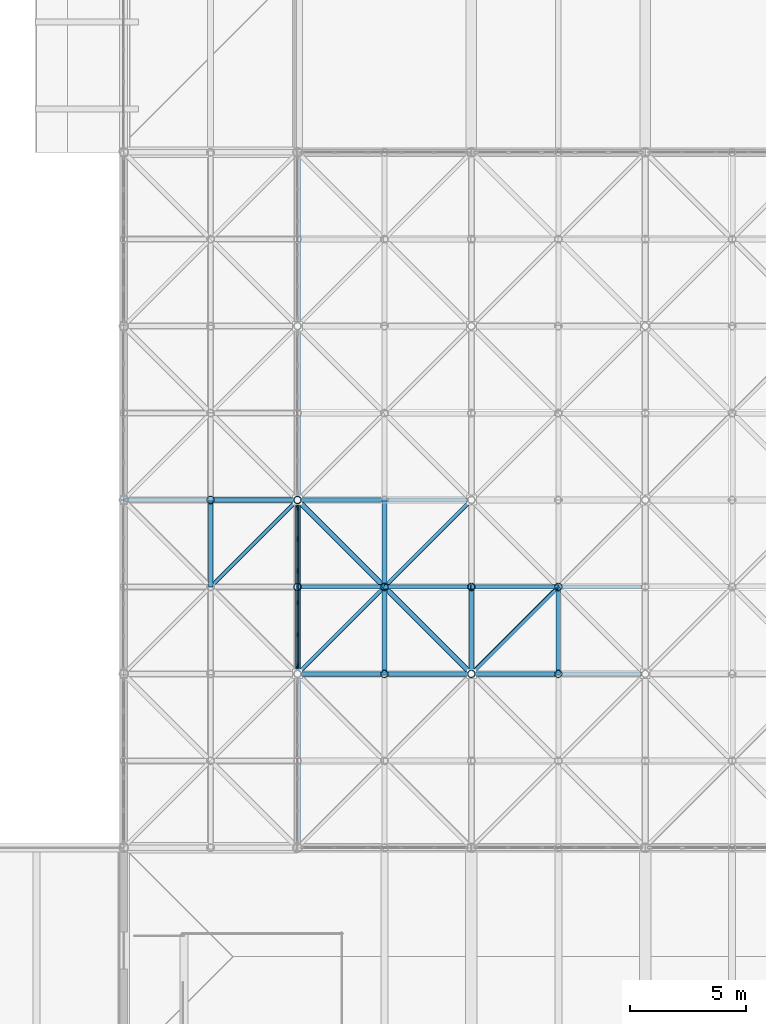
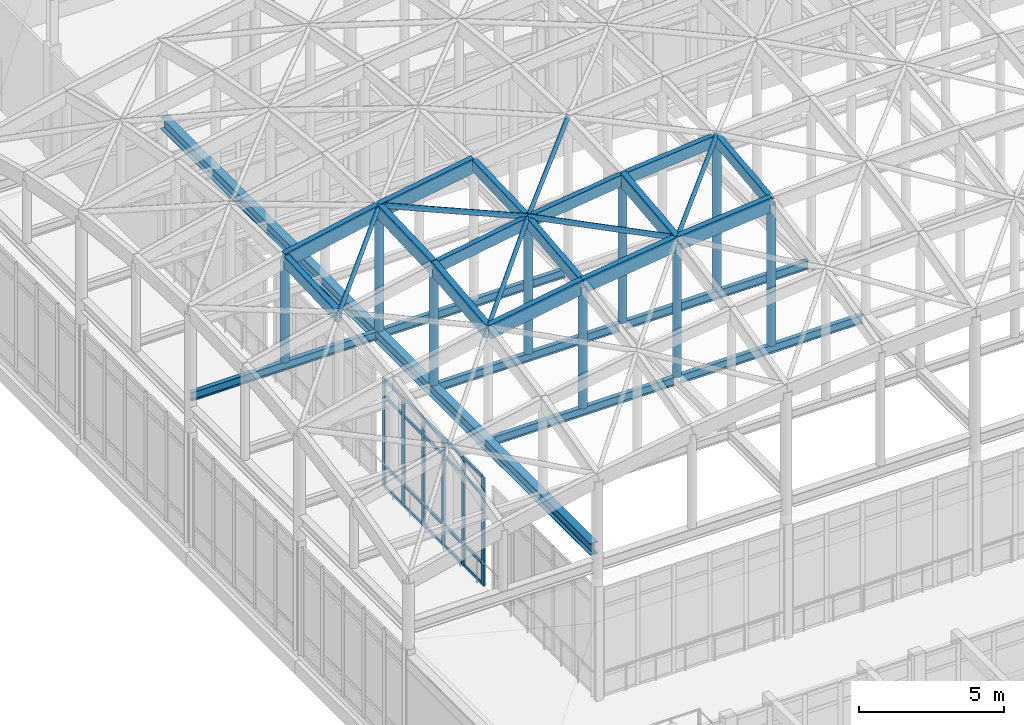
# One storey, part 33 of 131: 56 members, 7 beams, 1 element without a shape of its own.
"""IFC4 building model written with IfcOpenShell, lengths in metres."""

from ifc_helpers import new_model, si_unit, direction, frame, origin, origin_2d, place, context, subcontext, project, spatial, rectangle, hollow_circle, i_section, extrude, material, layer, layer_set, material_profile, profile_set, type_object, element, aggregate, save


model = new_model("IFC4")

# Units and contexts
model_context = context("Model", 3, precision=1e-05, world=origin(), true_north=direction((0.0, 1.0)))
body_context = subcontext(model_context, "Body", "Model", "MODEL_VIEW")
ifc_project = project(units=[si_unit("LENGTHUNIT", "METRE"), si_unit("AREAUNIT", "SQUARE_METRE"), si_unit("VOLUMEUNIT", "CUBIC_METRE"), si_unit("PLANEANGLEUNIT", "RADIAN"), si_unit("MASSUNIT", "GRAM", prefix="KILO")], contexts=[model_context])

# Site, building, storey
site_placement = place(None, origin())
site = spatial("IfcSite", under=ifc_project, at=site_placement, CompositionType="ELEMENT")
building_placement = place(site_placement, origin())
building = spatial("IfcBuilding", under=site, at=building_placement, Name="Dalvernix Boulevard General Hospital", CompositionType="ELEMENT")
storey_placement = place(building_placement, frame((0.0, 0.0, 9.300048828125)))
storey = spatial("IfcBuildingStorey", under=building, at=storey_placement, Name="L02", CompositionType="ELEMENT", Elevation=9.300048828125)

# Beams
ifc_material_1 = material(Name="Steel S355", Category="steel")
ifc_material_profile_1 = material_profile(ifc_material_1, i_section(OverallWidth=0.300048828125, OverallDepth=0.5, WebThickness=0.014404296875, FlangeThickness=0.028076171875, FilletRadius=0.027099609375, at=origin_2d()), Name="HEB 500")
ifc_profile_set_1 = profile_set([ifc_material_profile_1], Name="Steel S355")
beam_type_1 = type_object("IfcBeamType", Name="BM-RB-02", PredefinedType="BEAM", material=ifc_profile_set_1)
beam_1_placement = place(storey_placement, frame((67.5, 31.7099609375, 6.14990234375), z_axis=(0.0, 1.0, 0.0), x_axis=(-1.0, 0.0, 0.0)))
element("IfcBeam", 1, at=beam_1_placement, inside=storey, type_object=beam_type_1, Name="ROOF TRUSS Gridshell tie beam 2", PredefinedType="BEAM", context=body_context, shape_type="SweptSolid", body=[
    extrude(i_section(OverallWidth=0.300048828125, OverallDepth=0.5, WebThickness=0.014404296875, FlangeThickness=0.028076171875, FilletRadius=0.027099609375, at=origin_2d()), origin(), (0.0, 0.0, 1.0), 29.580078125),
])
ifc_material_profile_2 = material_profile(ifc_material_1, i_section(OverallWidth=0.169921875, OverallDepth=0.360107421875, WebThickness=0.008056640625, FlangeThickness=0.0126953125, FilletRadius=0.01806640625, at=origin_2d()), Name="IPE 360")
ifc_profile_set_2 = profile_set([ifc_material_profile_2], Name="Steel S355")
beam_type_2 = type_object("IfcBeamType", Name="BM-RB-08", PredefinedType="BEAM", material=ifc_profile_set_2)
for number, where, z_axis, x_axis, name in (
    (2, (67.64208984375, 39.0, 6.219970703125), (1.0, 0.0, 0.0), (0.0, 1.0, 0.0), "ROOF TRUSS Gridshell cross tie 2-2"),
    (3, (75.14208984375, 39.0, 6.219970703125), (1.0, 0.0, 0.0), (0.0, 1.0, 0.0), "ROOF TRUSS Gridshell cross tie 4-2"),
    (4, (67.64208984375, 42.75, 6.219970703125), (1.0, 0.0, 0.0), (0.0, 1.0, 0.0), "ROOF TRUSS Gridshell cross tie 2-3"),
    (5, (75.14208984375, 42.75, 6.219970703125), (1.0, 0.0, 0.0), (0.0, 1.0, 0.0), "ROOF TRUSS Gridshell cross tie 4-3"),
):
    element("IfcBeam", number, at=place(storey_placement, frame(where, z_axis=z_axis, x_axis=x_axis)), inside=storey, type_object=beam_type_2, Name=name, PredefinedType="BEAM", context=body_context, shape_type="SweptSolid", body=[
        extrude(i_section(OverallWidth=0.169921875, OverallDepth=0.360107421875, WebThickness=0.008056640625, FlangeThickness=0.0126953125, FilletRadius=0.01806640625, at=origin_2d()), origin(), (0.0, 0.0, 1.0), 7.2158203125),
    ])
beam_2_placement = place(storey_placement, frame((60.0, 46.5, 6.219970703125), z_axis=(1.0, 0.0, 0.0), x_axis=(0.0, 1.0, 0.0)))
element("IfcBeam", 6, at=beam_2_placement, inside=storey, type_object=beam_type_2, Name="ROOF TRUSS Gridshell cross tie 0-4", PredefinedType="BEAM", context=body_context, shape_type="SweptSolid", body=[
    extrude(i_section(OverallWidth=0.169921875, OverallDepth=0.360107421875, WebThickness=0.008056640625, FlangeThickness=0.0126953125, FilletRadius=0.01806640625, at=origin_2d()), origin(), (0.0, 0.0, 1.0), 7.35791015625),
])
beam_3_placement = place(storey_placement, frame((67.64208984375, 46.5, 6.219970703125), z_axis=(1.0, 0.0, 0.0), x_axis=(0.0, 1.0, 0.0)))
element("IfcBeam", 7, at=beam_3_placement, inside=storey, type_object=beam_type_2, Name="ROOF TRUSS Gridshell cross tie 2-4", PredefinedType="BEAM", context=body_context, shape_type="SweptSolid", body=[
    extrude(i_section(OverallWidth=0.169921875, OverallDepth=0.360107421875, WebThickness=0.008056640625, FlangeThickness=0.0126953125, FilletRadius=0.01806640625, at=origin_2d()), origin(), (0.0, 0.0, 1.0), 7.2158203125),
])

# Curtain wall, members
ifc_material_2 = material(Name="Thermally broken aluminium and solar-control glass curtain wall", Category="aluminium")
ifc_layer = layer(ifc_material_2, 0.179931640625)
ifc_layer_set = layer_set([ifc_layer], Name="Thermally broken aluminium and solar-control glass curtain wall (CW-CW-B-69x46)")
curtain_wall_type = type_object("IfcCurtainWallType", Name="CW-CW-B-69x46", PredefinedType="USERDEFINED", material=ifc_layer_set)
curtain_wall_placement = place(storey_placement, origin())
curtain_wall = element("IfcCurtainWall", 8, at=curtain_wall_placement, inside=storey, type_object=curtain_wall_type, Name="L02 curtain wall CW-B-69x46 9-5", ObjectType="GLAZED FACADE", PredefinedType="USERDEFINED")
ifc_material_3 = material(Name="Aluminium EN AW-6060", Category="aluminium")
ifc_material_profile_3 = material_profile(ifc_material_3, rectangle(XDim=0.06494140625, YDim=0.179931640625, at=origin_2d()), Name="ALU MULL 65x180")
ifc_profile_set_3 = profile_set([ifc_material_profile_3], Name="Aluminium EN AW-6060")
member_type_1 = type_object("IfcMemberType", Name="MEM-CW-M2", PredefinedType="MULLION", material=ifc_profile_set_3)
member_1_placement = place(storey_placement, frame((67.5, 46.157470703125, 0.0), z_axis=(0.0, 0.0, 1.0), x_axis=(1.0, 0.0, 0.0)))
member_1 = element("IfcMember", 9, at=member_1_placement, type_object=member_type_1, Name="CW-B-69x46 mullion 1", PredefinedType="MULLION", context=body_context, shape_type="SweptSolid", body=[
    extrude(rectangle(XDim=0.06494140625, YDim=0.179931640625, at=origin_2d()), origin(), (0.0, 0.0, 1.0), 4.550048828125),
])
member_2_placement = place(storey_placement, frame((67.5, 44.81396484375, 0.0), z_axis=(0.0, 0.0, 1.0), x_axis=(1.0, 0.0, 0.0)))
member_2 = element("IfcMember", 10, at=member_2_placement, type_object=member_type_1, Name="CW-B-69x46 mullion 2", PredefinedType="MULLION", context=body_context, shape_type="SweptSolid", body=[
    extrude(rectangle(XDim=0.06494140625, YDim=0.179931640625, at=origin_2d()), origin(), (0.0, 0.0, 1.0), 4.550048828125),
])
member_3_placement = place(storey_placement, frame((67.5, 43.43798828125, 0.0), z_axis=(0.0, 0.0, 1.0), x_axis=(1.0, 0.0, 0.0)))
member_3 = element("IfcMember", 11, at=member_3_placement, type_object=member_type_1, Name="CW-B-69x46 mullion 3", PredefinedType="MULLION", context=body_context, shape_type="SweptSolid", body=[
    extrude(rectangle(XDim=0.06494140625, YDim=0.179931640625, at=origin_2d()), origin(), (0.0, 0.0, 1.0), 4.550048828125),
])
member_4_placement = place(storey_placement, frame((67.5, 42.06201171875, 0.0), z_axis=(0.0, 0.0, 1.0), x_axis=(1.0, 0.0, 0.0)))
member_4 = element("IfcMember", 12, at=member_4_placement, type_object=member_type_1, Name="CW-B-69x46 mullion 4", PredefinedType="MULLION", context=body_context, shape_type="SweptSolid", body=[
    extrude(rectangle(XDim=0.06494140625, YDim=0.179931640625, at=origin_2d()), origin(), (0.0, 0.0, 1.0), 4.550048828125),
])
member_5_placement = place(storey_placement, frame((67.5, 40.68603515625, 0.0), z_axis=(0.0, 0.0, 1.0), x_axis=(1.0, 0.0, 0.0)))
member_5 = element("IfcMember", 13, at=member_5_placement, type_object=member_type_1, Name="CW-B-69x46 mullion 5", PredefinedType="MULLION", context=body_context, shape_type="SweptSolid", body=[
    extrude(rectangle(XDim=0.06494140625, YDim=0.179931640625, at=origin_2d()), origin(), (0.0, 0.0, 1.0), 4.550048828125),
])
member_6_placement = place(storey_placement, frame((67.5, 39.342529296875, 0.0), z_axis=(0.0, 0.0, 1.0), x_axis=(1.0, 0.0, 0.0)))
member_6 = element("IfcMember", 14, at=member_6_placement, type_object=member_type_1, Name="CW-B-69x46 mullion 6", PredefinedType="MULLION", context=body_context, shape_type="SweptSolid", body=[
    extrude(rectangle(XDim=0.06494140625, YDim=0.179931640625, at=origin_2d()), origin(), (0.0, 0.0, 1.0), 4.550048828125),
])
ifc_material_profile_4 = material_profile(ifc_material_3, rectangle(XDim=0.06494140625, YDim=0.139892578125, at=origin_2d()), Name="ALU TRAN 65x140")
ifc_profile_set_4 = profile_set([ifc_material_profile_4], Name="Aluminium EN AW-6060")
member_type_2 = type_object("IfcMemberType", Name="MEM-CW-T2", PredefinedType="USERDEFINED", material=ifc_profile_set_4)
member_7_placement = place(storey_placement, frame((67.5, 46.125, 0.032470703125), z_axis=(0.0, -1.0, 0.0), x_axis=(1.0, 0.0, 0.0)))
member_7 = element("IfcMember", 15, at=member_7_placement, type_object=member_type_2, Name="CW-B-69x46 transom 1.1", ObjectType="TRANSOM", PredefinedType="USERDEFINED", context=body_context, shape_type="SweptSolid", body=[
    extrude(rectangle(XDim=0.06494140625, YDim=0.139892578125, at=origin_2d()), origin(), (0.0, 0.0, 1.0), 1.278564453125),
])
member_8_placement = place(storey_placement, frame((67.5, 46.125, 0.89990234375), z_axis=(0.0, -1.0, 0.0), x_axis=(1.0, 0.0, 0.0)))
member_8 = element("IfcMember", 16, at=member_8_placement, type_object=member_type_2, Name="CW-B-69x46 transom 1.2", ObjectType="TRANSOM", PredefinedType="USERDEFINED", context=body_context, shape_type="SweptSolid", body=[
    extrude(rectangle(XDim=0.06494140625, YDim=0.139892578125, at=origin_2d()), origin(), (0.0, 0.0, 1.0), 1.278564453125),
])
member_9_placement = place(storey_placement, frame((67.5, 46.125, 3.800048828125), z_axis=(0.0, -1.0, 0.0), x_axis=(1.0, 0.0, 0.0)))
member_9 = element("IfcMember", 17, at=member_9_placement, type_object=member_type_2, Name="CW-B-69x46 transom 1.3", ObjectType="TRANSOM", PredefinedType="USERDEFINED", context=body_context, shape_type="SweptSolid", body=[
    extrude(rectangle(XDim=0.06494140625, YDim=0.139892578125, at=origin_2d()), origin(), (0.0, 0.0, 1.0), 1.278564453125),
])
member_10_placement = place(storey_placement, frame((67.5, 46.125, 4.517333984375), z_axis=(0.0, -1.0, 0.0), x_axis=(1.0, 0.0, 0.0)))
member_10 = element("IfcMember", 18, at=member_10_placement, type_object=member_type_2, Name="CW-B-69x46 transom 1.4", ObjectType="TRANSOM", PredefinedType="USERDEFINED", context=body_context, shape_type="SweptSolid", body=[
    extrude(rectangle(XDim=0.06494140625, YDim=0.139892578125, at=origin_2d()), origin(), (0.0, 0.0, 1.0), 1.278564453125),
])
member_11_placement = place(storey_placement, frame((67.5, 44.781494140625, 0.032470703125), z_axis=(0.0, -1.0, 0.0), x_axis=(1.0, 0.0, 0.0)))
member_11 = element("IfcMember", 19, at=member_11_placement, type_object=member_type_2, Name="CW-B-69x46 transom 2.1", ObjectType="TRANSOM", PredefinedType="USERDEFINED", context=body_context, shape_type="SweptSolid", body=[
    extrude(rectangle(XDim=0.06494140625, YDim=0.139892578125, at=origin_2d()), origin(), (0.0, 0.0, 1.0), 1.31103515625),
])
member_12_placement = place(storey_placement, frame((67.5, 44.781494140625, 0.89990234375), z_axis=(0.0, -1.0, 0.0), x_axis=(1.0, 0.0, 0.0)))
member_12 = element("IfcMember", 20, at=member_12_placement, type_object=member_type_2, Name="CW-B-69x46 transom 2.2", ObjectType="TRANSOM", PredefinedType="USERDEFINED", context=body_context, shape_type="SweptSolid", body=[
    extrude(rectangle(XDim=0.06494140625, YDim=0.139892578125, at=origin_2d()), origin(), (0.0, 0.0, 1.0), 1.31103515625),
])
member_13_placement = place(storey_placement, frame((67.5, 44.781494140625, 3.800048828125), z_axis=(0.0, -1.0, 0.0), x_axis=(1.0, 0.0, 0.0)))
member_13 = element("IfcMember", 21, at=member_13_placement, type_object=member_type_2, Name="CW-B-69x46 transom 2.3", ObjectType="TRANSOM", PredefinedType="USERDEFINED", context=body_context, shape_type="SweptSolid", body=[
    extrude(rectangle(XDim=0.06494140625, YDim=0.139892578125, at=origin_2d()), origin(), (0.0, 0.0, 1.0), 1.31103515625),
])
member_14_placement = place(storey_placement, frame((67.5, 44.781494140625, 4.517333984375), z_axis=(0.0, -1.0, 0.0), x_axis=(1.0, 0.0, 0.0)))
member_14 = element("IfcMember", 22, at=member_14_placement, type_object=member_type_2, Name="CW-B-69x46 transom 2.4", ObjectType="TRANSOM", PredefinedType="USERDEFINED", context=body_context, shape_type="SweptSolid", body=[
    extrude(rectangle(XDim=0.06494140625, YDim=0.139892578125, at=origin_2d()), origin(), (0.0, 0.0, 1.0), 1.31103515625),
])
member_15_placement = place(storey_placement, frame((67.5, 43.405517578125, 0.032470703125), z_axis=(0.0, -1.0, 0.0), x_axis=(1.0, 0.0, 0.0)))
member_15 = element("IfcMember", 23, at=member_15_placement, type_object=member_type_2, Name="CW-B-69x46 transom 3.1", ObjectType="TRANSOM", PredefinedType="USERDEFINED", context=body_context, shape_type="SweptSolid", body=[
    extrude(rectangle(XDim=0.06494140625, YDim=0.139892578125, at=origin_2d()), origin(), (0.0, 0.0, 1.0), 1.31103515625),
])
member_16_placement = place(storey_placement, frame((67.5, 43.405517578125, 0.89990234375), z_axis=(0.0, -1.0, 0.0), x_axis=(1.0, 0.0, 0.0)))
member_16 = element("IfcMember", 24, at=member_16_placement, type_object=member_type_2, Name="CW-B-69x46 transom 3.2", ObjectType="TRANSOM", PredefinedType="USERDEFINED", context=body_context, shape_type="SweptSolid", body=[
    extrude(rectangle(XDim=0.06494140625, YDim=0.139892578125, at=origin_2d()), origin(), (0.0, 0.0, 1.0), 1.31103515625),
])
member_17_placement = place(storey_placement, frame((67.5, 43.405517578125, 3.800048828125), z_axis=(0.0, -1.0, 0.0), x_axis=(1.0, 0.0, 0.0)))
member_17 = element("IfcMember", 25, at=member_17_placement, type_object=member_type_2, Name="CW-B-69x46 transom 3.3", ObjectType="TRANSOM", PredefinedType="USERDEFINED", context=body_context, shape_type="SweptSolid", body=[
    extrude(rectangle(XDim=0.06494140625, YDim=0.139892578125, at=origin_2d()), origin(), (0.0, 0.0, 1.0), 1.31103515625),
])
member_18_placement = place(storey_placement, frame((67.5, 43.405517578125, 4.517333984375), z_axis=(0.0, -1.0, 0.0), x_axis=(1.0, 0.0, 0.0)))
member_18 = element("IfcMember", 26, at=member_18_placement, type_object=member_type_2, Name="CW-B-69x46 transom 3.4", ObjectType="TRANSOM", PredefinedType="USERDEFINED", context=body_context, shape_type="SweptSolid", body=[
    extrude(rectangle(XDim=0.06494140625, YDim=0.139892578125, at=origin_2d()), origin(), (0.0, 0.0, 1.0), 1.31103515625),
])
member_19_placement = place(storey_placement, frame((67.5, 42.029541015625, 0.032470703125), z_axis=(0.0, -1.0, 0.0), x_axis=(1.0, 0.0, 0.0)))
member_19 = element("IfcMember", 27, at=member_19_placement, type_object=member_type_2, Name="CW-B-69x46 transom 4.1", ObjectType="TRANSOM", PredefinedType="USERDEFINED", context=body_context, shape_type="SweptSolid", body=[
    extrude(rectangle(XDim=0.06494140625, YDim=0.139892578125, at=origin_2d()), origin(), (0.0, 0.0, 1.0), 1.31103515625),
])
member_20_placement = place(storey_placement, frame((67.5, 42.029541015625, 0.89990234375), z_axis=(0.0, -1.0, 0.0), x_axis=(1.0, 0.0, 0.0)))
member_20 = element("IfcMember", 28, at=member_20_placement, type_object=member_type_2, Name="CW-B-69x46 transom 4.2", ObjectType="TRANSOM", PredefinedType="USERDEFINED", context=body_context, shape_type="SweptSolid", body=[
    extrude(rectangle(XDim=0.06494140625, YDim=0.139892578125, at=origin_2d()), origin(), (0.0, 0.0, 1.0), 1.31103515625),
])
member_21_placement = place(storey_placement, frame((67.5, 42.029541015625, 3.800048828125), z_axis=(0.0, -1.0, 0.0), x_axis=(1.0, 0.0, 0.0)))
member_21 = element("IfcMember", 29, at=member_21_placement, type_object=member_type_2, Name="CW-B-69x46 transom 4.3", ObjectType="TRANSOM", PredefinedType="USERDEFINED", context=body_context, shape_type="SweptSolid", body=[
    extrude(rectangle(XDim=0.06494140625, YDim=0.139892578125, at=origin_2d()), origin(), (0.0, 0.0, 1.0), 1.31103515625),
])
member_22_placement = place(storey_placement, frame((67.5, 42.029541015625, 4.517333984375), z_axis=(0.0, -1.0, 0.0), x_axis=(1.0, 0.0, 0.0)))
member_22 = element("IfcMember", 30, at=member_22_placement, type_object=member_type_2, Name="CW-B-69x46 transom 4.4", ObjectType="TRANSOM", PredefinedType="USERDEFINED", context=body_context, shape_type="SweptSolid", body=[
    extrude(rectangle(XDim=0.06494140625, YDim=0.139892578125, at=origin_2d()), origin(), (0.0, 0.0, 1.0), 1.31103515625),
])
member_23_placement = place(storey_placement, frame((67.5, 40.653564453125, 0.032470703125), z_axis=(0.0, -1.0, 0.0), x_axis=(1.0, 0.0, 0.0)))
member_23 = element("IfcMember", 31, at=member_23_placement, type_object=member_type_2, Name="CW-B-69x46 transom 5.1", ObjectType="TRANSOM", PredefinedType="USERDEFINED", context=body_context, shape_type="SweptSolid", body=[
    extrude(rectangle(XDim=0.06494140625, YDim=0.139892578125, at=origin_2d()), origin(), (0.0, 0.0, 1.0), 1.278564453125),
])
member_24_placement = place(storey_placement, frame((67.5, 40.653564453125, 0.89990234375), z_axis=(0.0, -1.0, 0.0), x_axis=(1.0, 0.0, 0.0)))
member_24 = element("IfcMember", 32, at=member_24_placement, type_object=member_type_2, Name="CW-B-69x46 transom 5.2", ObjectType="TRANSOM", PredefinedType="USERDEFINED", context=body_context, shape_type="SweptSolid", body=[
    extrude(rectangle(XDim=0.06494140625, YDim=0.139892578125, at=origin_2d()), origin(), (0.0, 0.0, 1.0), 1.278564453125),
])
member_25_placement = place(storey_placement, frame((67.5, 40.653564453125, 3.800048828125), z_axis=(0.0, -1.0, 0.0), x_axis=(1.0, 0.0, 0.0)))
member_25 = element("IfcMember", 33, at=member_25_placement, type_object=member_type_2, Name="CW-B-69x46 transom 5.3", ObjectType="TRANSOM", PredefinedType="USERDEFINED", context=body_context, shape_type="SweptSolid", body=[
    extrude(rectangle(XDim=0.06494140625, YDim=0.139892578125, at=origin_2d()), origin(), (0.0, 0.0, 1.0), 1.278564453125),
])
member_26_placement = place(storey_placement, frame((67.5, 40.653564453125, 4.517333984375), z_axis=(0.0, -1.0, 0.0), x_axis=(1.0, 0.0, 0.0)))
member_26 = element("IfcMember", 34, at=member_26_placement, type_object=member_type_2, Name="CW-B-69x46 transom 5.4", ObjectType="TRANSOM", PredefinedType="USERDEFINED", context=body_context, shape_type="SweptSolid", body=[
    extrude(rectangle(XDim=0.06494140625, YDim=0.139892578125, at=origin_2d()), origin(), (0.0, 0.0, 1.0), 1.278564453125),
])
aggregate(curtain_wall, [member_1, member_2, member_3, member_4, member_5, member_6, member_7, member_8, member_9, member_10, member_11, member_12, member_13, member_14, member_15, member_16, member_17, member_18, member_19, member_20, member_21, member_22, member_23, member_24, member_25, member_26])

# Members
ifc_material_4 = material(Name="Glulam GL28h", Category="wood")
ifc_material_profile_5 = material_profile(ifc_material_4, rectangle(XDim=0.219970703125, YDim=0.60009765625, at=origin_2d()), Name="GL28h 220x600")
ifc_profile_set_5 = profile_set([ifc_material_profile_5], Name="Glulam GL28h")
member_type_3 = type_object("IfcMemberType", Name="MEM-GS-C1", PredefinedType="CHORD", material=ifc_profile_set_5)
member_27_placement = place(storey_placement, frame((67.5, 39.0, 10.865234375), z_axis=(0.98641474393, 0.0, 0.164274017902), x_axis=(0.0, 1.0, 0.0)))
element("IfcMember", 35, at=member_27_placement, inside=storey, type_object=member_type_3, Name="ROOF TRUSS Gridshell E-W glulam rib 3-3", PredefinedType="CHORD", context=body_context, shape_type="SweptSolid", body=[
    extrude(rectangle(XDim=0.219970703125, YDim=0.60009765625, at=origin_2d()), origin(), (0.0, 0.0, 1.0), 3.8017578125),
])
member_28_placement = place(storey_placement, frame((71.25, 39.0, 11.48974609375), z_axis=(0.99171987465, 0.0, 0.128419975956), x_axis=(0.0, 1.0, 0.0)))
element("IfcMember", 36, at=member_28_placement, inside=storey, type_object=member_type_3, Name="ROOF TRUSS Gridshell E-W glulam rib 4-3", PredefinedType="CHORD", context=body_context, shape_type="SweptSolid", body=[
    extrude(rectangle(XDim=0.219970703125, YDim=0.60009765625, at=origin_2d()), origin(), (0.0, 0.0, 1.0), 3.78125),
])
member_29_placement = place(storey_placement, frame((75.0, 39.0, 11.975341796875), z_axis=(0.995747945021, 0.0, 0.092119650382), x_axis=(0.0, 1.0, 0.0)))
element("IfcMember", 37, at=member_29_placement, inside=storey, type_object=member_type_3, Name="ROOF TRUSS Gridshell E-W glulam rib 5-3", PredefinedType="CHORD", context=body_context, shape_type="SweptSolid", body=[
    extrude(rectangle(XDim=0.219970703125, YDim=0.60009765625, at=origin_2d()), origin(), (0.0, 0.0, 1.0), 3.76611328125),
])
member_30_placement = place(storey_placement, frame((63.75, 46.5, 10.65185546875), z_axis=(0.979900110741, 0.0, 0.199488779055), x_axis=(0.0, 1.0, 0.0)))
element("IfcMember", 38, at=member_30_placement, inside=storey, type_object=member_type_3, Name="ROOF TRUSS Gridshell E-W glulam rib 2-5", PredefinedType="CHORD", context=body_context, shape_type="SweptSolid", body=[
    extrude(rectangle(XDim=0.219970703125, YDim=0.60009765625, at=origin_2d()), origin(), (0.0, 0.0, 1.0), 3.826904296875),
])
member_31_placement = place(storey_placement, frame((67.5, 46.5, 11.415283203125), z_axis=(0.98641474393, 0.0, 0.164274017902), x_axis=(0.0, 1.0, 0.0)))
element("IfcMember", 39, at=member_31_placement, inside=storey, type_object=member_type_3, Name="ROOF TRUSS Gridshell E-W glulam rib 3-5", PredefinedType="CHORD", context=body_context, shape_type="SweptSolid", body=[
    extrude(rectangle(XDim=0.219970703125, YDim=0.60009765625, at=origin_2d()), origin(), (0.0, 0.0, 1.0), 3.8017578125),
])
member_32_placement = place(storey_placement, frame((67.5, 39.0, 10.865234375), z_axis=(0.0, 0.994001542248, 0.109366055104), x_axis=(-1.0, 0.0, 0.0)))
element("IfcMember", 40, at=member_32_placement, inside=storey, type_object=member_type_3, Name="ROOF TRUSS Gridshell N-S glulam rib 3-3", PredefinedType="CHORD", context=body_context, shape_type="SweptSolid", body=[
    extrude(rectangle(XDim=0.219970703125, YDim=0.60009765625, at=origin_2d()), origin(), (0.0, 0.0, 1.0), 3.772705078125),
])
member_33_placement = place(storey_placement, frame((67.5, 42.75, 11.27783203125), z_axis=(0.0, 0.999328931228, 0.036629048716), x_axis=(-1.0, 0.0, 0.0)))
element("IfcMember", 41, at=member_33_placement, inside=storey, type_object=member_type_3, Name="ROOF TRUSS Gridshell N-S glulam rib 3-4", PredefinedType="CHORD", context=body_context, shape_type="SweptSolid", body=[
    extrude(rectangle(XDim=0.219970703125, YDim=0.60009765625, at=origin_2d()), origin(), (0.0, 0.0, 1.0), 3.75244140625),
])
member_34_placement = place(storey_placement, frame((75.0, 39.0, 11.975341796875), z_axis=(0.0, 0.994001542248, 0.109366055104), x_axis=(-1.0, 0.0, 0.0)))
element("IfcMember", 42, at=member_34_placement, inside=storey, type_object=member_type_3, Name="ROOF TRUSS Gridshell N-S glulam rib 5-3", PredefinedType="CHORD", context=body_context, shape_type="SweptSolid", body=[
    extrude(rectangle(XDim=0.219970703125, YDim=0.60009765625, at=origin_2d()), origin(), (0.0, 0.0, 1.0), 3.772705078125),
])
ifc_material_profile_6 = material_profile(ifc_material_4, rectangle(XDim=0.199951171875, YDim=0.47998046875, at=origin_2d()), Name="GL28h 200x480")
ifc_profile_set_6 = profile_set([ifc_material_profile_6], Name="Glulam GL28h")
member_type_4 = type_object("IfcMemberType", Name="MEM-GS-C2", PredefinedType="CHORD", material=ifc_profile_set_6)
member_35_placement = place(storey_placement, frame((67.5, 42.75, 11.27783203125), z_axis=(0.98641474393, 0.0, 0.164274017902), x_axis=(0.0, 1.0, 0.0)))
element("IfcMember", 43, at=member_35_placement, inside=storey, type_object=member_type_4, Name="ROOF TRUSS Gridshell E-W glulam rib 3-4", PredefinedType="CHORD", context=body_context, shape_type="SweptSolid", body=[
    extrude(rectangle(XDim=0.199951171875, YDim=0.47998046875, at=origin_2d()), origin(), (0.0, 0.0, 1.0), 3.8017578125),
])
member_36_placement = place(storey_placement, frame((71.25, 42.75, 11.90234375), z_axis=(0.99171987465, 0.0, 0.128419975956), x_axis=(0.0, 1.0, 0.0)))
element("IfcMember", 44, at=member_36_placement, inside=storey, type_object=member_type_4, Name="ROOF TRUSS Gridshell E-W glulam rib 4-4", PredefinedType="CHORD", context=body_context, shape_type="SweptSolid", body=[
    extrude(rectangle(XDim=0.199951171875, YDim=0.47998046875, at=origin_2d()), origin(), (0.0, 0.0, 1.0), 3.78125),
])
member_37_placement = place(storey_placement, frame((75.0, 42.75, 12.387939453125), z_axis=(0.995747945021, 0.0, 0.092119650382), x_axis=(0.0, 1.0, 0.0)))
element("IfcMember", 45, at=member_37_placement, inside=storey, type_object=member_type_4, Name="ROOF TRUSS Gridshell E-W glulam rib 5-4", PredefinedType="CHORD", context=body_context, shape_type="SweptSolid", body=[
    extrude(rectangle(XDim=0.199951171875, YDim=0.47998046875, at=origin_2d()), origin(), (0.0, 0.0, 1.0), 3.76611328125),
])
member_38_placement = place(storey_placement, frame((63.75, 42.75, 10.514404296875), z_axis=(0.0, 0.999328931228, 0.036629048716), x_axis=(-1.0, 0.0, 0.0)))
element("IfcMember", 46, at=member_38_placement, inside=storey, type_object=member_type_4, Name="ROOF TRUSS Gridshell N-S glulam rib 2-4", PredefinedType="CHORD", context=body_context, shape_type="SweptSolid", body=[
    extrude(rectangle(XDim=0.199951171875, YDim=0.47998046875, at=origin_2d()), origin(), (0.0, 0.0, 1.0), 3.75244140625),
])
member_39_placement = place(storey_placement, frame((71.25, 39.0, 11.48974609375), z_axis=(0.0, 0.994001542248, 0.109366055104), x_axis=(-1.0, 0.0, 0.0)))
element("IfcMember", 47, at=member_39_placement, inside=storey, type_object=member_type_4, Name="ROOF TRUSS Gridshell N-S glulam rib 4-3", PredefinedType="CHORD", context=body_context, shape_type="SweptSolid", body=[
    extrude(rectangle(XDim=0.199951171875, YDim=0.47998046875, at=origin_2d()), origin(), (0.0, 0.0, 1.0), 3.772705078125),
])
member_40_placement = place(storey_placement, frame((71.25, 42.75, 11.90234375), z_axis=(0.0, 0.999328931228, 0.036629048716), x_axis=(-1.0, 0.0, 0.0)))
element("IfcMember", 48, at=member_40_placement, inside=storey, type_object=member_type_4, Name="ROOF TRUSS Gridshell N-S glulam rib 4-4", PredefinedType="CHORD", context=body_context, shape_type="SweptSolid", body=[
    extrude(rectangle(XDim=0.199951171875, YDim=0.47998046875, at=origin_2d()), origin(), (0.0, 0.0, 1.0), 3.75244140625),
])
member_41_placement = place(storey_placement, frame((78.75, 39.0, 12.322265625), z_axis=(0.0, 0.994001542248, 0.109366055104), x_axis=(-1.0, 0.0, 0.0)))
element("IfcMember", 49, at=member_41_placement, inside=storey, type_object=member_type_4, Name="ROOF TRUSS Gridshell N-S glulam rib 6-3", PredefinedType="CHORD", context=body_context, shape_type="SweptSolid", body=[
    extrude(rectangle(XDim=0.199951171875, YDim=0.47998046875, at=origin_2d()), origin(), (0.0, 0.0, 1.0), 3.772705078125),
])
ifc_material_profile_7 = material_profile(ifc_material_1, hollow_circle(Radius=0.161865234375, WallThickness=0.012451171875, at=origin_2d()), Name="CHS 323.9x12.5")
ifc_profile_set_7 = profile_set([ifc_material_profile_7], Name="Steel S355")
member_type_5 = type_object("IfcMemberType", Name="MEM-GS-C3", PredefinedType="CHORD", material=ifc_profile_set_7)
member_42_placement = place(storey_placement, frame((63.75, 46.5, 6.39990234375), z_axis=(0.0, 0.0, 1.0), x_axis=(1.0, 0.0, 0.0)))
element("IfcMember", 50, at=member_42_placement, inside=storey, type_object=member_type_5, Name="ROOF TRUSS Gridshell arch queen post 1-4", PredefinedType="CHORD", context=body_context, shape_type="SweptSolid", body=[
    extrude(hollow_circle(Radius=0.161865234375, WallThickness=0.012451171875, at=origin_2d()), origin(), (0.0, 0.0, 1.0), 4.251953125),
])
member_43_placement = place(storey_placement, frame((67.5, 42.75, 6.39990234375), z_axis=(0.0, 0.0, 1.0), x_axis=(1.0, 0.0, 0.0)))
element("IfcMember", 51, at=member_43_placement, inside=storey, type_object=member_type_5, Name="ROOF TRUSS Gridshell arch queen post 2-3", PredefinedType="CHORD", context=body_context, shape_type="SweptSolid", body=[
    extrude(hollow_circle(Radius=0.161865234375, WallThickness=0.012451171875, at=origin_2d()), origin(), (0.0, 0.0, 1.0), 4.8779296875),
])
member_44_placement = place(storey_placement, frame((67.5, 46.5, 6.39990234375), z_axis=(0.0, 0.0, 1.0), x_axis=(1.0, 0.0, 0.0)))
element("IfcMember", 52, at=member_44_placement, inside=storey, type_object=member_type_5, Name="ROOF TRUSS Gridshell arch queen post 2-4", PredefinedType="CHORD", context=body_context, shape_type="SweptSolid", body=[
    extrude(hollow_circle(Radius=0.161865234375, WallThickness=0.012451171875, at=origin_2d()), origin(), (0.0, 0.0, 1.0), 5.015380859375),
])
member_45_placement = place(storey_placement, frame((71.25, 39.0, 6.39990234375), z_axis=(0.0, 0.0, 1.0), x_axis=(1.0, 0.0, 0.0)))
element("IfcMember", 53, at=member_45_placement, inside=storey, type_object=member_type_5, Name="ROOF TRUSS Gridshell arch queen post 3-2", PredefinedType="CHORD", context=body_context, shape_type="SweptSolid", body=[
    extrude(hollow_circle(Radius=0.161865234375, WallThickness=0.012451171875, at=origin_2d()), origin(), (0.0, 0.0, 1.0), 5.08984375),
])
member_46_placement = place(storey_placement, frame((71.25, 42.75, 6.39990234375), z_axis=(0.0, 0.0, 1.0), x_axis=(1.0, 0.0, 0.0)))
element("IfcMember", 54, at=member_46_placement, inside=storey, type_object=member_type_5, Name="ROOF TRUSS Gridshell arch queen post 3-3", PredefinedType="CHORD", context=body_context, shape_type="SweptSolid", body=[
    extrude(hollow_circle(Radius=0.161865234375, WallThickness=0.012451171875, at=origin_2d()), origin(), (0.0, 0.0, 1.0), 5.50244140625),
])
member_47_placement = place(storey_placement, frame((75.0, 39.0, 6.39990234375), z_axis=(0.0, 0.0, 1.0), x_axis=(1.0, 0.0, 0.0)))
element("IfcMember", 55, at=member_47_placement, inside=storey, type_object=member_type_5, Name="ROOF TRUSS Gridshell arch queen post 4-2", PredefinedType="CHORD", context=body_context, shape_type="SweptSolid", body=[
    extrude(hollow_circle(Radius=0.161865234375, WallThickness=0.012451171875, at=origin_2d()), origin(), (0.0, 0.0, 1.0), 5.575439453125),
])
member_48_placement = place(storey_placement, frame((75.0, 42.75, 6.39990234375), z_axis=(0.0, 0.0, 1.0), x_axis=(1.0, 0.0, 0.0)))
element("IfcMember", 56, at=member_48_placement, inside=storey, type_object=member_type_5, Name="ROOF TRUSS Gridshell arch queen post 4-3", PredefinedType="CHORD", context=body_context, shape_type="SweptSolid", body=[
    extrude(hollow_circle(Radius=0.161865234375, WallThickness=0.012451171875, at=origin_2d()), origin(), (0.0, 0.0, 1.0), 5.988037109375),
])
member_49_placement = place(storey_placement, frame((78.75, 39.0, 6.39990234375), z_axis=(0.0, 0.0, 1.0), x_axis=(1.0, 0.0, 0.0)))
element("IfcMember", 57, at=member_49_placement, inside=storey, type_object=member_type_5, Name="ROOF TRUSS Gridshell arch queen post 5-2", PredefinedType="CHORD", context=body_context, shape_type="SweptSolid", body=[
    extrude(hollow_circle(Radius=0.161865234375, WallThickness=0.012451171875, at=origin_2d()), origin(), (0.0, 0.0, 1.0), 5.92236328125),
])
member_50_placement = place(storey_placement, frame((78.75, 42.75, 6.39990234375), z_axis=(0.0, 0.0, 1.0), x_axis=(1.0, 0.0, 0.0)))
element("IfcMember", 58, at=member_50_placement, inside=storey, type_object=member_type_5, Name="ROOF TRUSS Gridshell arch queen post 5-3", PredefinedType="CHORD", context=body_context, shape_type="SweptSolid", body=[
    extrude(hollow_circle(Radius=0.161865234375, WallThickness=0.012451171875, at=origin_2d()), origin(), (0.0, 0.0, 1.0), 6.3349609375),
])
ifc_material_profile_8 = material_profile(ifc_material_1, hollow_circle(Radius=0.084228515625, WallThickness=0.00634765625, at=origin_2d()), Name="CHS 168.3x6.3")
ifc_profile_set_8 = profile_set([ifc_material_profile_8], Name="Steel S355")
member_type_6 = type_object("IfcMemberType", Name="MEM-GSD-01", PredefinedType="BRACE", material=ifc_profile_set_8)
member_51_placement = place(storey_placement, frame((63.75, 42.75, 10.704345703125), z_axis=(0.697120166477, 0.697120166477, 0.167472227494), x_axis=(-0.707106781187, 0.707106781187, 0.0)))
element("IfcMember", 59, at=member_51_placement, inside=storey, type_object=member_type_6, Name="ROOF TRUSS Gridshell diagrid tube 2-4", PredefinedType="BRACE", context=body_context, shape_type="SweptSolid", body=[
    extrude(hollow_circle(Radius=0.084228515625, WallThickness=0.00634765625, at=origin_2d()), origin(), (0.0, 0.0, 1.0), 5.37939453125),
])
member_52_placement = place(storey_placement, frame((67.5, 39.0, 11.05517578125), z_axis=(0.693961554101, 0.693961554101, 0.191923742306), x_axis=(-0.707106781187, 0.707106781187, 0.0)))
element("IfcMember", 60, at=member_52_placement, inside=storey, type_object=member_type_6, Name="ROOF TRUSS Gridshell diagrid tube 3-3", PredefinedType="BRACE", context=body_context, shape_type="SweptSolid", body=[
    extrude(hollow_circle(Radius=0.084228515625, WallThickness=0.00634765625, at=origin_2d()), origin(), (0.0, 0.0, 1.0), 5.40380859375),
])
member_53_placement = place(storey_placement, frame((71.25, 42.75, 12.09228515625), z_axis=(0.702276900068, 0.702276900068, 0.116680380793), x_axis=(-0.707106781187, 0.707106781187, 0.0)))
element("IfcMember", 61, at=member_53_placement, inside=storey, type_object=member_type_6, Name="ROOF TRUSS Gridshell diagrid tube 4-4", PredefinedType="BRACE", context=body_context, shape_type="SweptSolid", body=[
    extrude(hollow_circle(Radius=0.084228515625, WallThickness=0.00634765625, at=origin_2d()), origin(), (0.0, 0.0, 1.0), 5.33984375),
])
member_54_placement = place(storey_placement, frame((75.0, 39.0, 12.16552734375), z_axis=(0.699969238826, 0.699969238826, 0.141725542497), x_axis=(-0.707106781187, 0.707106781187, 0.0)))
element("IfcMember", 62, at=member_54_placement, inside=storey, type_object=member_type_6, Name="ROOF TRUSS Gridshell diagrid tube 5-3", PredefinedType="BRACE", context=body_context, shape_type="SweptSolid", body=[
    extrude(hollow_circle(Radius=0.084228515625, WallThickness=0.00634765625, at=origin_2d()), origin(), (0.0, 0.0, 1.0), 5.357421875),
])
ifc_material_profile_9 = material_profile(ifc_material_1, hollow_circle(Radius=0.109619140625, WallThickness=0.008056640625, at=origin_2d()), Name="CHS 219.1x8.0")
ifc_profile_set_9 = profile_set([ifc_material_profile_9], Name="Steel S355")
member_type_7 = type_object("IfcMemberType", Name="MEM-GSD-02", PredefinedType="BRACE", material=ifc_profile_set_9)
member_55_placement = place(storey_placement, frame((71.25, 42.75, 12.09228515625), z_axis=(-0.704143372411, 0.704143372411, -0.091456121612), x_axis=(-0.707106781187, -0.707106781187, 0.0)))
element("IfcMember", 63, at=member_55_placement, inside=storey, type_object=member_type_7, Name="ROOF TRUSS Gridshell diagrid tube 3-4", PredefinedType="BRACE", context=body_context, shape_type="SweptSolid", body=[
    extrude(hollow_circle(Radius=0.109619140625, WallThickness=0.008056640625, at=origin_2d()), origin(), (0.0, 0.0, 1.0), 5.32568359375),
])
member_56_placement = place(storey_placement, frame((75.0, 39.0, 12.16552734375), z_axis=(-0.707039355874, 0.707039355874, -0.013809362419), x_axis=(-0.707106781187, -0.707106781187, 0.0)))
element("IfcMember", 64, at=member_56_placement, inside=storey, type_object=member_type_7, Name="ROOF TRUSS Gridshell diagrid tube 4-3", PredefinedType="BRACE", context=body_context, shape_type="SweptSolid", body=[
    extrude(hollow_circle(Radius=0.109619140625, WallThickness=0.008056640625, at=origin_2d()), origin(), (0.0, 0.0, 1.0), 5.3037109375),
])

save(model, "model.ifc")
